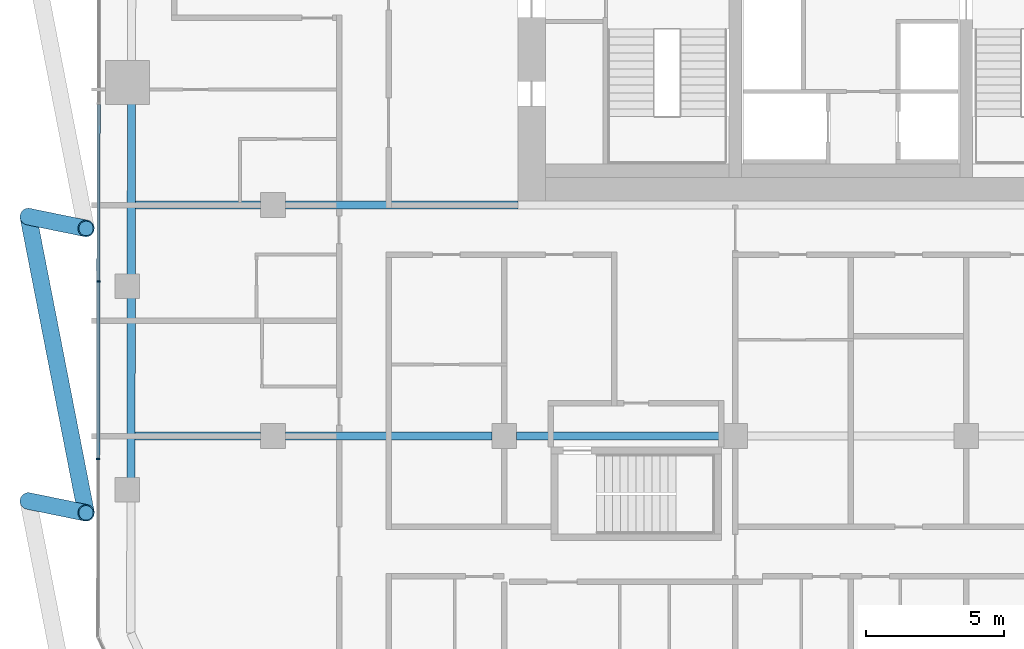
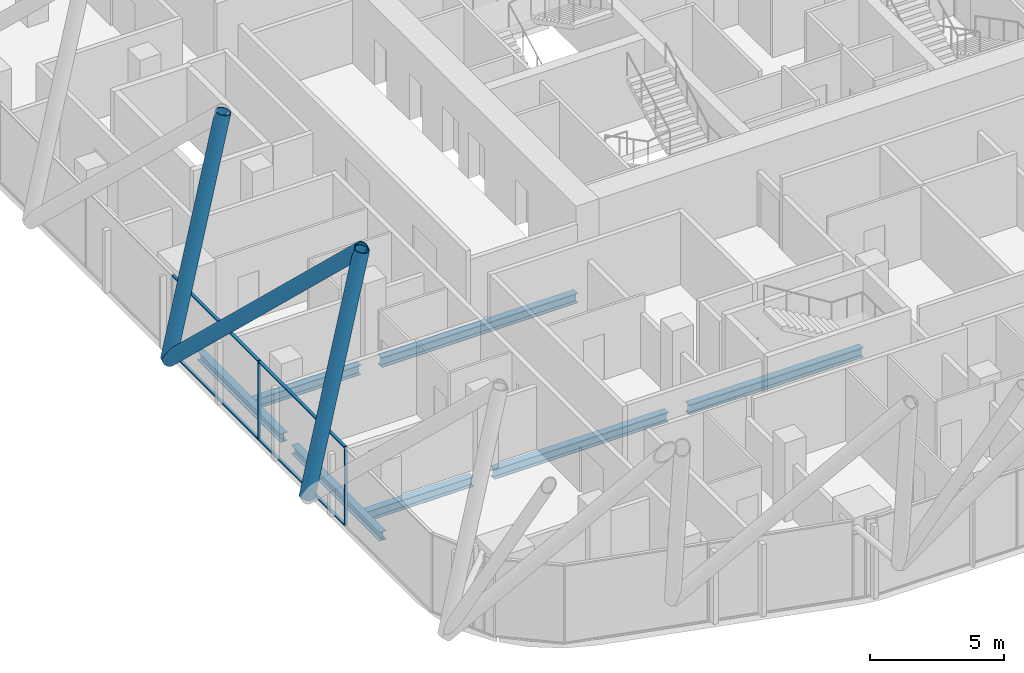
# One storey, part 4 of 34: 9 members, 7 beams, 1 element without a shape of its own.
"""IFC4 building model written with IfcOpenShell, lengths in metres."""

from ifc_helpers import new_model, si_unit, direction, frame, origin, origin_2d, place, context, subcontext, project, spatial, rectangle, hollow_circle, i_section, extrude, material, layer, layer_set, material_profile, profile_set, type_object, element, aggregate, save


model = new_model("IFC4")

# Units and contexts
model_context = context("Model", 3, precision=1e-05, world=origin(), true_north=direction((0.0, 1.0)))
body_context = subcontext(model_context, "Body", "Model", "MODEL_VIEW")
ifc_project = project(units=[si_unit("LENGTHUNIT", "METRE"), si_unit("AREAUNIT", "SQUARE_METRE"), si_unit("VOLUMEUNIT", "CUBIC_METRE"), si_unit("PLANEANGLEUNIT", "RADIAN"), si_unit("MASSUNIT", "GRAM", prefix="KILO")], contexts=[model_context])

# Site, building, storey
site_placement = place(None, origin())
site = spatial("IfcSite", under=ifc_project, at=site_placement, CompositionType="ELEMENT")
building_placement = place(site_placement, origin())
building = spatial("IfcBuilding", under=site, at=building_placement, Name="Marenta Gate Hotel Tower", CompositionType="ELEMENT")
storey_placement = place(building_placement, frame((0.0, 0.0, 166.10009765625)))
storey = spatial("IfcBuildingStorey", under=building, at=storey_placement, Name="L39", CompositionType="ELEMENT", Elevation=166.10009765625)

# Members
ifc_material_1 = material(Name="Steel S355J2W", Category="steel")
ifc_material_profile_1 = material_profile(ifc_material_1, hollow_circle(Radius=0.304931640625, WallThickness=0.0400390625, at=origin_2d()), Name="CHS 610x40")
ifc_profile_set_1 = profile_set([ifc_material_profile_1], Name="Steel S355J2W")
member_type_1 = type_object("IfcMemberType", Name="Diagrid diagonal T2 CHS 610x40", PredefinedType="BRACE", material=ifc_profile_set_1)
member_1_placement = place(storey_placement, frame((-29.89990234375, -10.760009765625, 3.139892578125), z_axis=(0.190710283799, -0.03906888967, 0.980868599514), x_axis=(0.200691904122, 0.979654408258, 0.0)))
element("IfcMember", 1, at=member_1_placement, inside=storey, type_object=member_type_1, Name="L39-DG-27", PredefinedType="BRACE", context=body_context, shape_type="SweptSolid", body=[
    extrude(hollow_circle(Radius=0.304931640625, WallThickness=0.0400390625, at=origin_2d()), origin(), (0.0, 0.0, 1.0), 11.0107421875),
])
member_2_placement = place(storey_placement, frame((-29.89990234375, -0.420166015625, 3.139892578125), z_axis=(0.136387552473, -0.699523368187, 0.701473800573), x_axis=(0.981518224839, 0.191368686853, 0.0)))
element("IfcMember", 2, at=member_2_placement, inside=storey, type_object=member_type_1, Name="L39-DG-28", PredefinedType="BRACE", context=body_context, shape_type="SweptSolid", body=[
    extrude(hollow_circle(Radius=0.304931640625, WallThickness=0.0400390625, at=origin_2d()), origin(), (0.0, 0.0, 1.0), 15.396240234375),
])
member_3_placement = place(storey_placement, frame((-29.89990234375, -0.420166015625, 3.139892578125), z_axis=(0.19071044896, -0.03904675045, 0.980869448977), x_axis=(0.200582587895, 0.979676796415, 0.0)))
element("IfcMember", 3, at=member_3_placement, inside=storey, type_object=member_type_1, Name="L39-DG-29", PredefinedType="BRACE", context=body_context, shape_type="SweptSolid", body=[
    extrude(hollow_circle(Radius=0.304931640625, WallThickness=0.0400390625, at=origin_2d()), origin(), (0.0, 0.0, 1.0), 11.0107421875),
])

# Beams
ifc_material_2 = material(Name="Steel S355", Category="steel")
ifc_material_profile_2 = material_profile(ifc_material_2, i_section(OverallWidth=0.300048828125, OverallDepth=0.39990234375, WebThickness=0.013427734375, FlangeThickness=0.02392578125, FilletRadius=0.027099609375, at=origin_2d()), Name="HEB 400")
ifc_profile_set_2 = profile_set([ifc_material_profile_2], Name="Steel S355")
beam_type_1 = type_object("IfcBeamType", Name="Edge beam HEB 400", PredefinedType="SPANDREL", material=ifc_profile_set_2)
beam_1_placement = place(storey_placement, frame((-26.167236328125, -9.94189453125, -0.460205078125), z_axis=(0.001372605919, 0.999999057976, 0.0), x_axis=(-0.999999057976, 0.001372605919, 0.0)))
element("IfcBeam", 4, at=beam_1_placement, inside=storey, type_object=beam_type_1, Name="L39-EB-6", PredefinedType="SPANDREL", context=body_context, shape_type="SweptSolid", body=[
    extrude(i_section(OverallWidth=0.300048828125, OverallDepth=0.39990234375, WebThickness=0.013427734375, FlangeThickness=0.02392578125, FilletRadius=0.027099609375, at=origin_2d()), origin(), (0.0, 0.0, 1.0), 6.5810546875),
])
beam_2_placement = place(storey_placement, frame((-26.156982421875, -2.541015625, -0.460205078125), z_axis=(0.001371364591, 0.999999059679, 0.0), x_axis=(-0.999999059679, 0.001371364591, 0.0)))
element("IfcBeam", 5, at=beam_2_placement, inside=storey, type_object=beam_type_1, Name="L39-EB-7", PredefinedType="SPANDREL", context=body_context, shape_type="SweptSolid", body=[
    extrude(i_section(OverallWidth=0.300048828125, OverallDepth=0.39990234375, WebThickness=0.013427734375, FlangeThickness=0.02392578125, FilletRadius=0.027099609375, at=origin_2d()), origin(), (0.0, 0.0, 1.0), 6.23095703125),
])
ifc_material_3 = material(Name="Steel S355", Category="steel")
ifc_material_profile_3 = material_profile(ifc_material_3, i_section(OverallWidth=0.300048828125, OverallDepth=0.449951171875, WebThickness=0.013916015625, FlangeThickness=0.02587890625, FilletRadius=0.027099609375, at=origin_2d()), Name="HEB 450")
ifc_profile_set_3 = profile_set([ifc_material_profile_3], Name="Steel S355")
beam_type_2 = type_object("IfcBeamType", Name="Girder HEB 450", PredefinedType="BEAM", material=ifc_profile_set_3)
beam_3_placement = place(storey_placement, frame((-26.01513671875, -8.39990234375, -0.485107421875), z_axis=(1.0, 0.0, 0.0), x_axis=(0.0, 1.0, 0.0)))
element("IfcBeam", 6, at=beam_3_placement, inside=storey, type_object=beam_type_2, Name="L39-GD-8", PredefinedType="BEAM", context=body_context, shape_type="SweptSolid", body=[
    extrude(i_section(OverallWidth=0.300048828125, OverallDepth=0.449951171875, WebThickness=0.013916015625, FlangeThickness=0.02587890625, FilletRadius=0.027099609375, at=origin_2d()), origin(), (0.0, 0.0, 1.0), 4.565185546875),
])
for number, where, z_axis, x_axis, name in (
    (7, (-20.550048828125, -8.39990234375, -0.485107421875), (1.0, 0.0, 0.0), (0.0, 1.0, 0.0), "L39-GD-9"),
    (8, (-12.14990234375, -8.39990234375, -0.485107421875), (1.0, 0.0, 0.0), (0.0, 1.0, 0.0), "L39-GD-10"),
):
    element("IfcBeam", number, at=place(storey_placement, frame(where, z_axis=z_axis, x_axis=x_axis)), inside=storey, type_object=beam_type_2, Name=name, PredefinedType="BEAM", context=body_context, shape_type="SweptSolid", body=[
        extrude(i_section(OverallWidth=0.300048828125, OverallDepth=0.449951171875, WebThickness=0.013916015625, FlangeThickness=0.02587890625, FilletRadius=0.027099609375, at=origin_2d()), origin(), (0.0, 0.0, 1.0), 7.5),
    ])
beam_4_placement = place(storey_placement, frame((-26.003662109375, 0.0, -0.485107421875), z_axis=(1.0, 0.0, 0.0), x_axis=(0.0, 1.0, 0.0)))
element("IfcBeam", 9, at=beam_4_placement, inside=storey, type_object=beam_type_2, Name="L39-GD-15", PredefinedType="BEAM", context=body_context, shape_type="SweptSolid", body=[
    extrude(i_section(OverallWidth=0.300048828125, OverallDepth=0.449951171875, WebThickness=0.013916015625, FlangeThickness=0.02587890625, FilletRadius=0.027099609375, at=origin_2d()), origin(), (0.0, 0.0, 1.0), 4.5537109375),
])
beam_5_placement = place(storey_placement, frame((-20.550048828125, 0.0, -0.485107421875), z_axis=(1.0, 0.0, 0.0), x_axis=(0.0, 1.0, 0.0)))
element("IfcBeam", 10, at=beam_5_placement, inside=storey, type_object=beam_type_2, Name="L39-GD-16", PredefinedType="BEAM", context=body_context, shape_type="SweptSolid", body=[
    extrude(i_section(OverallWidth=0.300048828125, OverallDepth=0.449951171875, WebThickness=0.013916015625, FlangeThickness=0.02587890625, FilletRadius=0.027099609375, at=origin_2d()), origin(), (0.0, 0.0, 1.0), 8.449951171875),
])

# Curtain wall, members
ifc_material_4 = material(Name="Tinted insulated glass in bronze anodised frame", Category="glass")
ifc_layer = layer(ifc_material_4, 0.1201171875)
ifc_layer_set = layer_set([ifc_layer], Name="Tinted insulated glass in bronze anodised frame")
curtain_wall_type = type_object("IfcCurtainWallType", Name="Tower unitised curtain wall CW1", PredefinedType="NOTDEFINED", material=ifc_layer_set)
curtain_wall_placement = place(storey_placement, origin())
curtain_wall = element("IfcCurtainWall", 11, at=curtain_wall_placement, inside=storey, type_object=curtain_wall_type, Name="CW1 run G04", PredefinedType="NOTDEFINED")
ifc_material_5 = material(Name="Bronze anodised aluminium", Category="aluminium")
ifc_material_profile_4 = material_profile(ifc_material_5, rectangle(XDim=0.1201171875, YDim=0.06005859375, at=origin_2d()), Name="Mullion CW1 60x120 bronze anodised aluminium")
ifc_profile_set_4 = profile_set([ifc_material_profile_4], Name="Bronze anodised aluminium")
member_type_2 = type_object("IfcMemberType", Name="Mullion CW1 60x120 bronze anodised aluminium", PredefinedType="MULLION", material=ifc_profile_set_4)
member_4_placement = place(storey_placement, frame((-27.352783203125, -2.773681640625, 0.0), z_axis=(0.0, 0.0, 1.0), x_axis=(0.99999877375, -0.001566045546, 0.0)))
member_4 = element("IfcMember", 12, at=member_4_placement, type_object=member_type_2, Name="CW1 mullion 5", PredefinedType="MULLION", context=body_context, shape_type="SweptSolid", body=[
    extrude(rectangle(XDim=0.1201171875, YDim=0.06005859375, at=origin_2d()), origin(), (0.0, 0.0, 1.0), 3.599853515625),
])
member_5_placement = place(storey_placement, frame((-27.36279296875, -9.23388671875, 0.0), z_axis=(0.0, 0.0, 1.0), x_axis=(0.99999877375, -0.001566045546, 0.0)))
member_5 = element("IfcMember", 13, at=member_5_placement, type_object=member_type_2, Name="CW1 mullion 6", PredefinedType="MULLION", context=body_context, shape_type="SweptSolid", body=[
    extrude(rectangle(XDim=0.1201171875, YDim=0.06005859375, at=origin_2d()), origin(), (0.0, 0.0, 1.0), 3.599853515625),
])
ifc_material_6 = material(Name="Bronze anodised aluminium", Category="aluminium")
ifc_material_profile_5 = material_profile(ifc_material_6, rectangle(XDim=0.1201171875, YDim=0.06005859375, at=origin_2d()), Name="Transom CW1 60x120 bronze anodised aluminium")
ifc_profile_set_5 = profile_set([ifc_material_profile_5], Name="Bronze anodised aluminium")
member_type_3 = type_object("IfcMemberType", Name="Transom CW1 60x120 bronze anodised aluminium", PredefinedType="USERDEFINED", material=ifc_profile_set_5)
member_6_placement = place(storey_placement, frame((-27.3427734375, 3.65625, 0.02978515625), z_axis=(-0.001563988169, -0.99999877697, 0.0), x_axis=(0.99999877697, -0.001563988169, 0.0)))
member_6 = element("IfcMember", 14, at=member_6_placement, type_object=member_type_3, Name="CW1 transom 4.1", ObjectType="TRANSOM", PredefinedType="USERDEFINED", context=body_context, shape_type="SweptSolid", body=[
    extrude(rectangle(XDim=0.1201171875, YDim=0.06005859375, at=origin_2d()), origin(), (0.0, 0.0, 1.0), 6.400146484375),
])
member_7_placement = place(storey_placement, frame((-27.3427734375, 3.65625, 3.56982421875), z_axis=(-0.001563988169, -0.99999877697, 0.0), x_axis=(0.99999877697, -0.001563988169, 0.0)))
member_7 = element("IfcMember", 15, at=member_7_placement, type_object=member_type_3, Name="CW1 transom 4.2", ObjectType="TRANSOM", PredefinedType="USERDEFINED", context=body_context, shape_type="SweptSolid", body=[
    extrude(rectangle(XDim=0.1201171875, YDim=0.06005859375, at=origin_2d()), origin(), (0.0, 0.0, 1.0), 6.400146484375),
])
member_8_placement = place(storey_placement, frame((-27.352783203125, -2.8037109375, 0.02978515625), z_axis=(-0.001563988169, -0.99999877697, 0.0), x_axis=(0.99999877697, -0.001563988169, 0.0)))
member_8 = element("IfcMember", 16, at=member_8_placement, type_object=member_type_3, Name="CW1 transom 5.1", ObjectType="TRANSOM", PredefinedType="USERDEFINED", context=body_context, shape_type="SweptSolid", body=[
    extrude(rectangle(XDim=0.1201171875, YDim=0.06005859375, at=origin_2d()), origin(), (0.0, 0.0, 1.0), 6.400146484375),
])
member_9_placement = place(storey_placement, frame((-27.352783203125, -2.8037109375, 3.56982421875), z_axis=(-0.001563988169, -0.99999877697, 0.0), x_axis=(0.99999877697, -0.001563988169, 0.0)))
member_9 = element("IfcMember", 17, at=member_9_placement, type_object=member_type_3, Name="CW1 transom 5.2", ObjectType="TRANSOM", PredefinedType="USERDEFINED", context=body_context, shape_type="SweptSolid", body=[
    extrude(rectangle(XDim=0.1201171875, YDim=0.06005859375, at=origin_2d()), origin(), (0.0, 0.0, 1.0), 6.400146484375),
])
aggregate(curtain_wall, [member_4, member_5, member_6, member_7, member_8, member_9])

save(model, "model.ifc")
